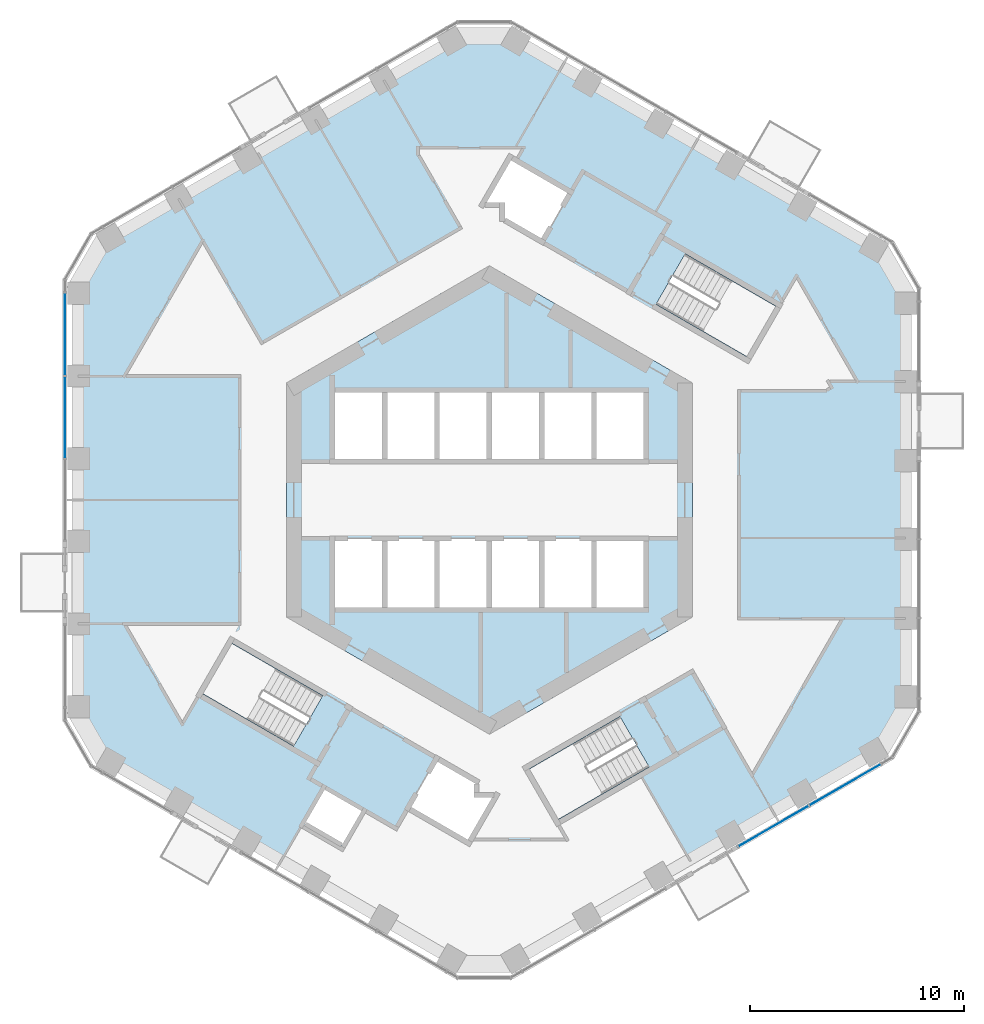
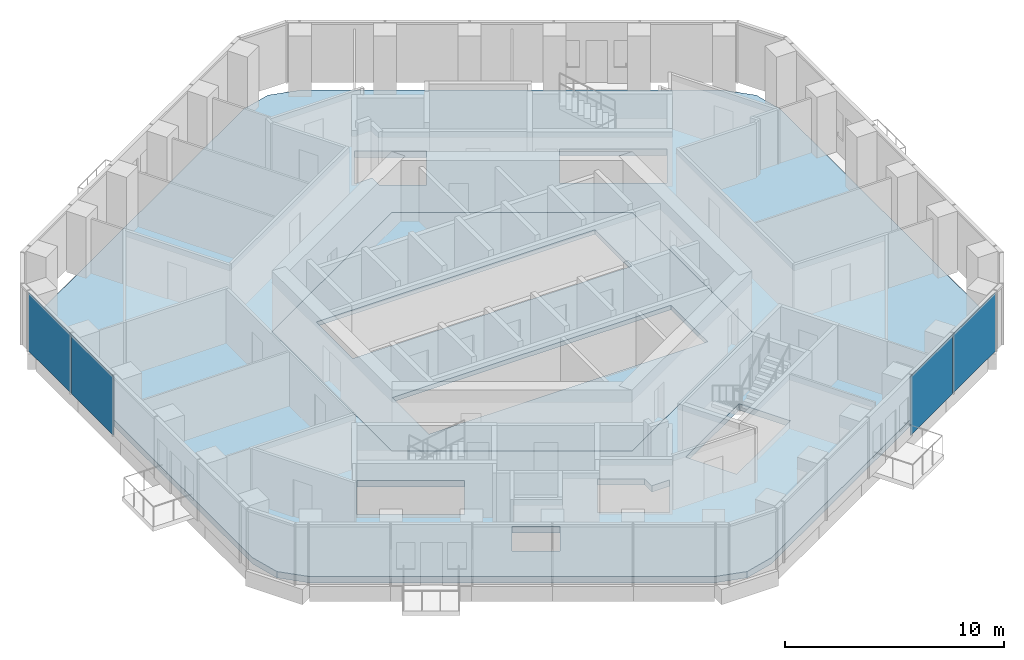
# One storey, part 10 of 20: 4 plates, 2 slabs, 2 elements without a shape of their own.
"""IFC4 building model written with IfcOpenShell, lengths in metres."""

from ifc_helpers import new_model, si_unit, direction, frame, origin, origin_2d, place, context, subcontext, project, spatial, polyline, rectangle, outline, extrude, material, layer, layer_set, type_object, element, aggregate, save


model = new_model("IFC4")

# Units and contexts
model_context = context("Model", 3, precision=1e-05, world=origin(), true_north=direction((0.0, 1.0)))
body_context = subcontext(model_context, "Body", "Model", "MODEL_VIEW")
ifc_project = project(units=[si_unit("LENGTHUNIT", "METRE"), si_unit("AREAUNIT", "SQUARE_METRE"), si_unit("VOLUMEUNIT", "CUBIC_METRE"), si_unit("PLANEANGLEUNIT", "RADIAN"), si_unit("MASSUNIT", "GRAM", prefix="KILO")], contexts=[model_context])

# Site, building, storey
site_placement = place(None, origin())
site = spatial("IfcSite", under=ifc_project, at=site_placement, CompositionType="ELEMENT")
building_placement = place(site_placement, origin())
building = spatial("IfcBuilding", under=site, at=building_placement, Name="Ayvan Gate Tower", CompositionType="ELEMENT")
storey_placement = place(building_placement, frame((0.0, 0.0, 96.699951171875)))
storey = spatial("IfcBuildingStorey", under=building, at=storey_placement, Name="L25", CompositionType="ELEMENT", Elevation=96.699951171875)

# Slabs
ifc_material_1 = material(Name="Concrete C40/50", Category="concrete")
ifc_layer_1 = layer(ifc_material_1, 0.35009765625)
ifc_layer_set_1 = layer_set([ifc_layer_1], Name="Concrete C40/50")
slab_type_1 = type_object("IfcSlabType", Name="Post-tensioned flat slab 350", PredefinedType="FLOOR", material=ifc_layer_set_1)
slab_1_placement = place(storey_placement, frame((0.0, 0.0, -0.349853515625)))
element("IfcSlab", 1, at=slab_1_placement, inside=storey, type_object=slab_type_1, Name="SL-L25", PredefinedType="FLOOR", context=body_context, shape_type="SweptSolid", body=[
    extrude(outline(polyline([(-0.2373046875, -21.89892578125), (-1.7373046875, -21.496826171875), (-17.748291015625, -12.253173828125), (-18.84619140625, -11.155029296875), (-19.248291015625, -9.655029296875), (-19.248291015625, 9.655029296875), (-18.84619140625, 11.155029296875), (-17.748291015625, 12.253173828125), (-1.7373046875, 21.496826171875), (-0.2373046875, 21.89892578125), (1.2626953125, 21.496826171875), (17.985595703125, 11.841796875), (19.083740234375, 10.743896484375), (19.485595703125, 9.243896484375), (19.485595703125, -9.243896484375), (19.083740234375, -10.743896484375), (17.985595703125, -11.841796875), (1.2626953125, -21.496826171875), (-0.2373046875, -21.89892578125)]), holes=[polyline([(13.404541015625, 9.0673828125), (9.1611328125, 11.517578125), (7.80615234375, 9.170654296875), (12.049560546875, 6.720458984375), (13.404541015625, 9.0673828125)]), polyline([(0.0, 10.9697265625), (-9.5, 5.48486328125), (-9.5, -5.48486328125), (0.0, -10.9697265625), (9.5, -5.48486328125), (9.5, 5.48486328125), (0.0, 10.9697265625)]), polyline([(3.228759765625, -14.9423828125), (7.472412109375, -12.492431640625), (6.117431640625, -10.1455078125), (1.873779296875, -12.595458984375), (3.228759765625, -14.9423828125)]), polyline([(2.472412109375, 12.08251953125), (3.822509765625, 14.420654296875), (0.964599609375, 16.07080078125), (-0.340576171875, 13.81005859375), (0.60009765625, 13.81005859375), (0.60009765625, 13.16357421875), (2.472412109375, 12.08251953125)]), polyline([(0.340576171875, -13.81005859375), (-0.60009765625, -13.81005859375), (-0.60009765625, -13.16357421875), (-2.472412109375, -12.08251953125), (-3.822509765625, -14.420654296875), (-0.964599609375, -16.07080078125), (-0.865478515625, -15.89892578125), (0.340576171875, -13.81005859375)]), polyline([(-5.8447265625, -14.5234375), (-7.75, -13.42333984375), (-8.720458984375, -15.1044921875), (-6.815185546875, -16.204345703125), (-5.8447265625, -14.5234375)]), polyline([(-7.80615234375, -9.170654296875), (-12.049560546875, -6.720458984375), (-13.404541015625, -9.0673828125), (-9.1611328125, -11.517578125), (-7.80615234375, -9.170654296875)])]), origin(), (0.0, 0.0, 1.0), 0.349853515625),
])
ifc_layer_2 = layer(ifc_material_1, 0.25)
ifc_layer_set_2 = layer_set([ifc_layer_2], Name="Concrete C40/50")
slab_type_2 = type_object("IfcSlabType", Name="SL-CORE-250", PredefinedType="FLOOR", material=ifc_layer_set_2)
slab_2_placement = place(storey_placement, frame((0.0, 0.0, -0.25)))
element("IfcSlab", 2, at=slab_2_placement, inside=storey, type_object=slab_type_2, Name="CS-L25", PredefinedType="FLOOR", context=body_context, shape_type="SweptSolid", body=[
    extrude(outline(polyline([(9.5, -5.48486328125), (0.0, -10.9697265625), (-9.5, -5.48486328125), (-9.5, 5.48486328125), (0.0, 10.9697265625), (9.5, 5.48486328125), (9.5, -5.48486328125)]), holes=[polyline([(-7.35009765625, -1.800048828125), (-7.35009765625, -5.14990234375), (7.35009765625, -5.14990234375), (7.35009765625, -1.800048828125), (-7.35009765625, -1.800048828125)]), polyline([(-7.35009765625, 5.14990234375), (-7.35009765625, 1.800048828125), (7.35009765625, 1.800048828125), (7.35009765625, 5.14990234375), (-7.35009765625, 5.14990234375)])]), origin(), (0.0, 0.0, 1.0), 0.25),
])

# Curtain wall, plates
ifc_material_2 = material(Name="Bronze anodised aluminium", Category="aluminium")
ifc_layer_3 = layer(ifc_material_2, 0.199951171875)
ifc_layer_set_3 = layer_set([ifc_layer_3], Name="Bronze anodised aluminium")
curtain_wall_type = type_object("IfcCurtainWallType", Name="Stick curtain wall CW-1", PredefinedType="NOTDEFINED", material=ifc_layer_set_3)
curtain_wall_1_placement = place(storey_placement, origin())
curtain_wall_1 = element("IfcCurtainWall", 3, at=curtain_wall_1_placement, inside=storey, type_object=curtain_wall_type, Name="Stick curtain wall CW-1 L25", PredefinedType="NOTDEFINED")
ifc_material_3 = material(Name="Clear low-iron laminated glass", Category="glass")
ifc_layer_4 = layer(ifc_material_3, 0.028076171875)
ifc_layer_set_4 = layer_set([ifc_layer_4], Name="Clear low-iron laminated glass")
plate_type = type_object("IfcPlateType", Name="Stick curtain wall CW-1 glass panel", PredefinedType="CURTAIN_PANEL", material=ifc_layer_set_4)
plate_1_placement = place(storey_placement, frame((-19.873291015625, 7.770263671875, 0.0), z_axis=(0.0, 0.0, 1.0), x_axis=(0.0, -1.0, 0.0)))
plate_1 = element("IfcPlate", 4, at=plate_1_placement, type_object=plate_type, Name="CW-1 glass panel 1", PredefinedType="CURTAIN_PANEL", context=body_context, shape_type="SweptSolid", body=[
    extrude(rectangle(XDim=3.8740234375, YDim=0.028076171875, at=origin_2d()), origin(), (0.0, 0.0, 1.0), 3.280029296875),
])
plate_2_placement = place(storey_placement, frame((-19.873291015625, 3.868896484375, 0.0), z_axis=(0.0, 0.0, 1.0), x_axis=(0.0, -1.0, 0.0)))
plate_2 = element("IfcPlate", 5, at=plate_2_placement, type_object=plate_type, Name="CW-1 glass panel 2", PredefinedType="CURTAIN_PANEL", context=body_context, shape_type="SweptSolid", body=[
    extrude(rectangle(XDim=3.80908203125, YDim=0.028076171875, at=origin_2d()), origin(), (0.0, 0.0, 1.0), 3.280029296875),
])
aggregate(curtain_wall_1, [plate_1, plate_2])

curtain_wall_2_placement = place(storey_placement, origin())
curtain_wall_2 = element("IfcCurtainWall", 6, at=curtain_wall_2_placement, inside=storey, type_object=curtain_wall_type, Name="Stick curtain wall CW-1 L25", PredefinedType="NOTDEFINED")
plate_3_placement = place(storey_placement, frame((13.287353515625, -15.276123046875, 0.0), z_axis=(0.0, 0.0, 1.0), x_axis=(0.866025403784, 0.5, 0.0)))
plate_3 = element("IfcPlate", 7, at=plate_3_placement, type_object=plate_type, Name="CW-1 glass panel 1", PredefinedType="CURTAIN_PANEL", context=body_context, shape_type="SweptSolid", body=[
    extrude(rectangle(XDim=3.80908203125, YDim=0.028076171875, at=origin_2d()), origin(), (0.0, 0.0, 1.0), 3.280029296875),
])
plate_4_placement = place(storey_placement, frame((16.666015625, -13.325439453125, 0.0), z_axis=(0.0, 0.0, 1.0), x_axis=(0.866025403784, 0.5, 0.0)))
plate_4 = element("IfcPlate", 8, at=plate_4_placement, type_object=plate_type, Name="CW-1 glass panel 2", PredefinedType="CURTAIN_PANEL", context=body_context, shape_type="SweptSolid", body=[
    extrude(rectangle(XDim=3.87353515625, YDim=0.028076171875, at=origin_2d()), origin(), (0.0, 0.0, 1.0), 3.280029296875),
])
aggregate(curtain_wall_2, [plate_3, plate_4])

save(model, "model.ifc")
